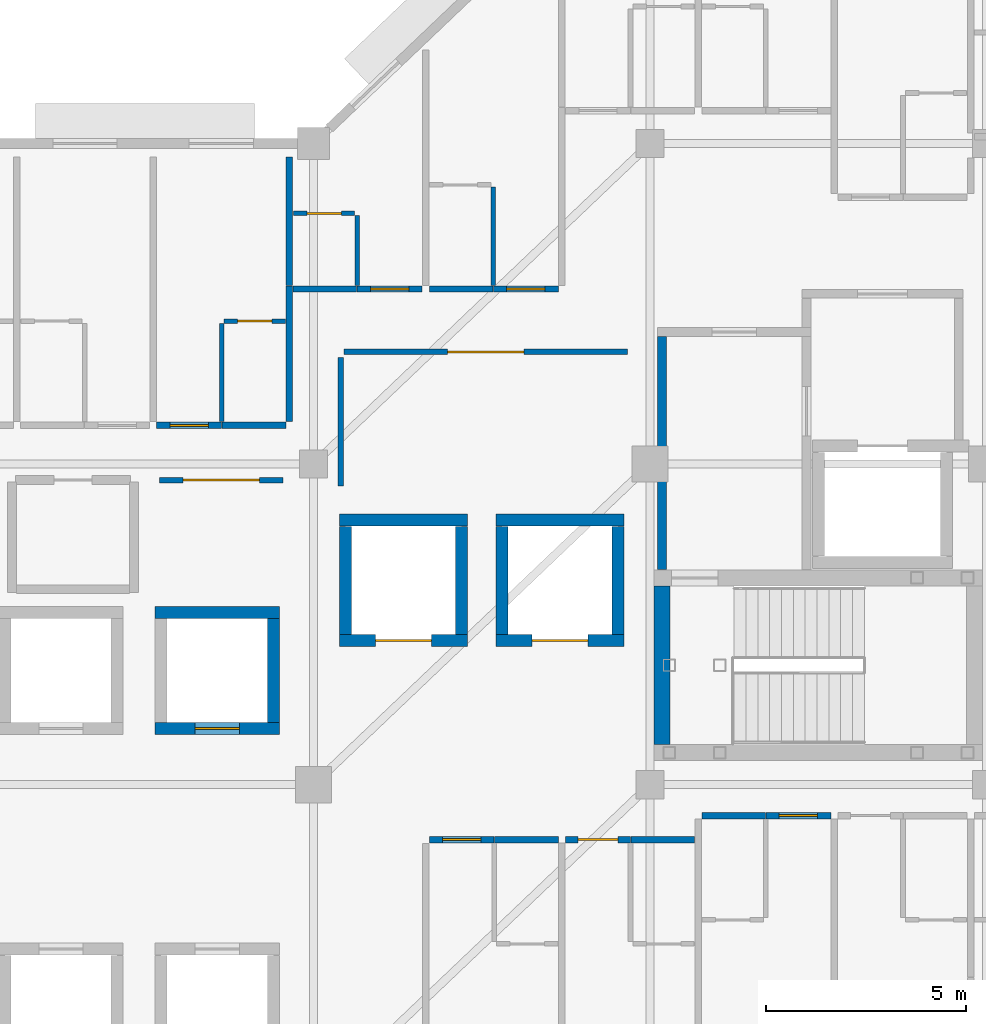
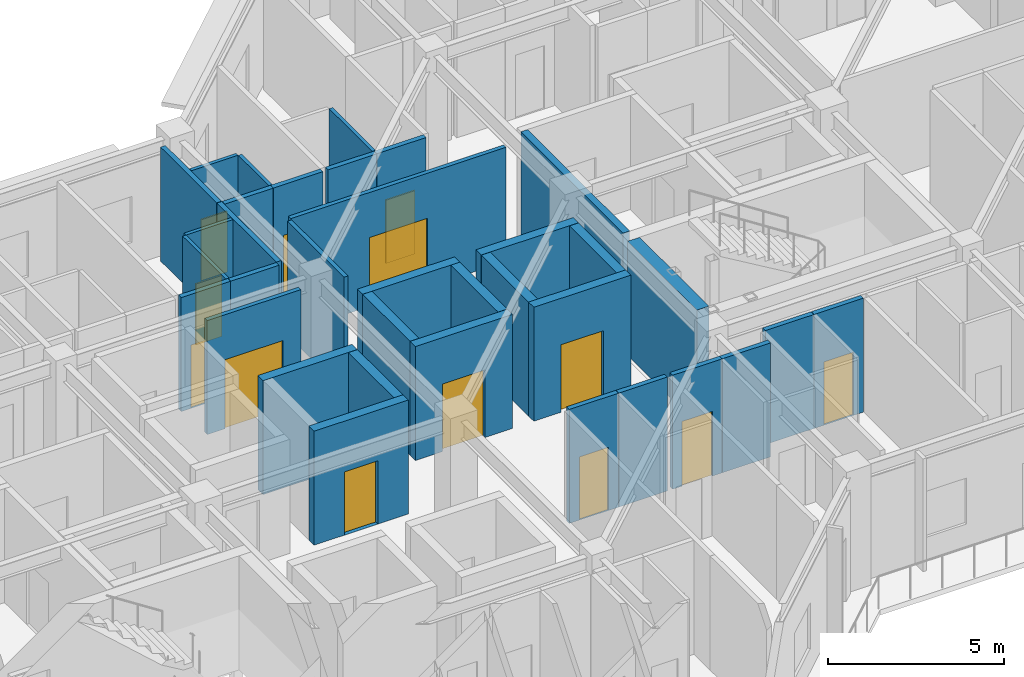
# One storey, part 11 of 22: 35 walls, 13 doors, 13 openings.
"""IFC4 building model written with IfcOpenShell, lengths in metres."""

from ifc_helpers import new_model, si_unit, direction, frame, frame_2d, origin, place, context, subcontext, project, spatial, rectangle, extrude, material, layer, layer_set, type_object, element, fill, save


model = new_model("IFC4")

# Units and contexts
model_context = context("Model", 3, precision=1e-05, world=origin(), true_north=direction((0.0, 1.0)))
body_context = subcontext(model_context, "Body", "Model", "MODEL_VIEW")
ifc_project = project(units=[si_unit("LENGTHUNIT", "METRE"), si_unit("AREAUNIT", "SQUARE_METRE"), si_unit("VOLUMEUNIT", "CUBIC_METRE"), si_unit("PLANEANGLEUNIT", "RADIAN"), si_unit("MASSUNIT", "GRAM", prefix="KILO")], contexts=[model_context])

# Site, building, storey
site_placement = place(None, origin())
site = spatial("IfcSite", under=ifc_project, at=site_placement, CompositionType="ELEMENT")
building_placement = place(site_placement, origin())
building = spatial("IfcBuilding", under=site, at=building_placement, Name="Naruveol Harbour Congress Hotel", CompositionType="ELEMENT")
storey_placement = place(building_placement, frame((0.0, 0.0, 21.0)))
storey = spatial("IfcBuildingStorey", under=building, at=storey_placement, Name="L04", CompositionType="ELEMENT", Elevation=21.0)

# Wall, opening, door
ifc_material_1 = material(Name="Acoustic Double Stud Gypsum", Category="gypsum")
ifc_layer_1 = layer(ifc_material_1, 0.139892578125)
ifc_layer_set_1 = layer_set([ifc_layer_1], Name="Acoustic Double Stud Gypsum")
wall_type_1 = type_object("IfcWallType", Name="ACOUSTIC MEETING PARTITION WALL 140", PredefinedType="PARTITIONING", material=ifc_layer_set_1)
wall_1_placement = place(storey_placement, frame((138.9599609375, 23.60009765625, 0.0), z_axis=(0.0, 0.0, 1.0), x_axis=(1.0, 0.0, 0.0)))
wall_1 = element("IfcWall", 1, at=wall_1_placement, inside=storey, type_object=wall_type_1, Name="Reading Salon north entry wall PW-140", PredefinedType="PARTITIONING", context=body_context, shape_type="SweptSolid", body=[
    extrude(rectangle(XDim=3.080078125, YDim=0.139892578125, at=frame_2d((1.5400390625, 0.0))), origin(), (0.0, 0.0, 1.0), 3.965087890625),
])
opening_1_placement = place(wall_1_placement, frame((0.590087890625, 0.0, 0.0)))
opening_1 = element("IfcOpeningElement", 2, at=opening_1_placement, cuts=wall_1, Name="Opening ID-LG-96", PredefinedType="OPENING", context=body_context, shape_type="SweptSolid", body=[
    extrude(rectangle(XDim=1.89990234375, YDim=2.39990234375, at=frame_2d((0.949951171875, 1.199951171875))), frame((0.0, 0.079833984375, 0.0), z_axis=(0.0, -1.0, 0.0), x_axis=(1.0, 0.0, 0.0)), (0.0, 0.0, 1.0), 0.159912109375),
])
ifc_material_2 = material(Name="Timber & Steel Acoustic Leaf", Category="steel")
door_type_1 = type_object("IfcDoorType", Name="RESTAURANT AND LOUNGE GLAZED DOOR 1900X2400", OperationType="DOUBLE_DOOR_SINGLE_SWING", PredefinedType="DOOR", material=ifc_material_2)
door_1_placement = place(opening_1_placement, origin())
door_1 = element("IfcDoor", 3, at=door_1_placement, inside=storey, type_object=door_type_1, Name="Reading Salon Entrance Door", OperationType="DOUBLE_DOOR_SINGLE_SWING", OverallHeight=2.39990234375, OverallWidth=1.89990234375, PredefinedType="DOOR", context=body_context, shape_type="SweptSolid", body=[
    extrude(rectangle(XDim=1.89990234375, YDim=2.39990234375, at=frame_2d((0.949951171875, 1.199951171875))), frame((0.0, 0.02490234375, 0.0), z_axis=(0.0, -1.0, 0.0), x_axis=(1.0, 0.0, 0.0)), (0.0, 0.0, 1.0), 0.050048828125),
])
fill(opening_1, door_1)

wall_2_placement = place(storey_placement, frame((143.56005859375, 26.800048828125, 0.0), z_axis=(0.0, 0.0, 1.0), x_axis=(1.0, 0.0, 0.0)))
wall_2 = element("IfcWall", 4, at=wall_2_placement, inside=storey, type_object=wall_type_1, Name="Harbour Study Salon north entry wall PW-140", PredefinedType="PARTITIONING", context=body_context, shape_type="SweptSolid", body=[
    extrude(rectangle(XDim=7.079833984375, YDim=0.139892578125, at=frame_2d((3.5400390625, 0.0))), origin(), (0.0, 0.0, 1.0), 3.965087890625),
])
opening_2_placement = place(wall_2_placement, frame((2.590087890625, 0.0, 0.0)))
opening_2 = element("IfcOpeningElement", 5, at=opening_2_placement, cuts=wall_2, Name="Opening ID-LG-99", PredefinedType="OPENING", context=body_context, shape_type="SweptSolid", body=[
    extrude(rectangle(XDim=1.89990234375, YDim=2.39990234375, at=frame_2d((0.949951171875, 1.199951171875))), frame((0.0, 0.079833984375, 0.0), z_axis=(0.0, -1.0, 0.0), x_axis=(1.0, 0.0, 0.0)), (0.0, 0.0, 1.0), 0.159912109375),
])
door_2_placement = place(opening_2_placement, origin())
door_2 = element("IfcDoor", 6, at=door_2_placement, inside=storey, type_object=door_type_1, Name="Harbour Study Salon Entrance Door", OperationType="DOUBLE_DOOR_SINGLE_SWING", OverallHeight=2.39990234375, OverallWidth=1.89990234375, PredefinedType="DOOR", context=body_context, shape_type="SweptSolid", body=[
    extrude(rectangle(XDim=1.89990234375, YDim=2.39990234375, at=frame_2d((0.949951171875, 1.199951171875))), frame((0.0, 0.02490234375, 0.0), z_axis=(0.0, -1.0, 0.0), x_axis=(1.0, 0.0, 0.0)), (0.0, 0.0, 1.0), 0.050048828125),
])
fill(opening_2, door_2)

# Walls
wall_3_placement = place(storey_placement, frame((143.47998046875, 23.449951171875, 0.0), z_axis=(0.0, 0.0, 1.0), x_axis=(0.0, 1.0, 0.0)))
element("IfcWall", 7, at=wall_3_placement, inside=storey, type_object=wall_type_1, Name="Harbour Study Salon west partition PW-140", PredefinedType="PARTITIONING", context=body_context, shape_type="SweptSolid", body=[
    extrude(rectangle(XDim=3.2099609375, YDim=0.139892578125, at=frame_2d((1.60498046875, 0.0))), origin(), (0.0, 0.0, 1.0), 3.965087890625),
])
ifc_material_3 = material(Name="Moisture-Resistant Gypsum Partition", Category="gypsum")
ifc_layer_2 = layer(ifc_material_3, 0.114990234375)
ifc_layer_set_2 = layer_set([ifc_layer_2], Name="Moisture-Resistant Gypsum Partition")
wall_type_2 = type_object("IfcWallType", Name="BATHROOM MOISTURE PARTITION WALL 115", PredefinedType="PARTITIONING", material=ifc_layer_set_2)
wall_4_placement = place(storey_placement, frame((140.510009765625, 25.06005859375, 0.0), z_axis=(0.0, 0.0, 1.0), x_axis=(0.0, 1.0, 0.0)))
element("IfcWall", 8, at=wall_4_placement, inside=storey, type_object=wall_type_2, Name="Bathroom west wall 0502 PW-115", PredefinedType="PARTITIONING", context=body_context, shape_type="SweptSolid", body=[
    extrude(rectangle(XDim=2.449951171875, YDim=0.114990234375, at=frame_2d((1.22509765625, 0.0))), origin(), (0.0, 0.0, 1.0), 3.965087890625),
])

# Wall, opening, door
wall_5_placement = place(storey_placement, frame((140.570068359375, 27.570068359375, 0.0), z_axis=(0.0, 0.0, 1.0), x_axis=(1.0, 0.0, 0.0)))
wall_5 = element("IfcWall", 9, at=wall_5_placement, inside=storey, type_object=wall_type_2, Name="Bathroom north wall 0502 PW-115", PredefinedType="PARTITIONING", context=body_context, shape_type="SweptSolid", body=[
    extrude(rectangle(XDim=1.530029296875, YDim=0.114990234375, at=frame_2d((0.76513671875, 0.0))), origin(), (0.0, 0.0, 1.0), 3.965087890625),
])
opening_3_placement = place(wall_5_placement, frame((0.3349609375, 0.0, 0.0)))
opening_3 = element("IfcOpeningElement", 10, at=opening_3_placement, cuts=wall_5, Name="Opening BD-RM0502", PredefinedType="OPENING", context=body_context, shape_type="SweptSolid", body=[
    extrude(rectangle(XDim=0.860107421875, YDim=2.1201171875, at=frame_2d((0.43017578125, 1.06005859375))), frame((0.0, 0.0673828125, 0.0), z_axis=(0.0, -1.0, 0.0), x_axis=(1.0, 0.0, 0.0)), (0.0, 0.0, 1.0), 0.135009765625),
])
ifc_material_4 = material(Name="Timber & Steel Acoustic Leaf", Category="steel")
door_type_2 = type_object("IfcDoorType", Name="GUEST BATHROOM DOOR 860X2120", OperationType="NOTDEFINED", PredefinedType="DOOR", material=ifc_material_4)
door_3_placement = place(opening_3_placement, origin())
door_3 = element("IfcDoor", 11, at=door_3_placement, inside=storey, type_object=door_type_2, Name="Bathroom Door 0502", OperationType="SINGLE_SWING_RIGHT", OverallHeight=2.1201171875, OverallWidth=0.860107421875, PredefinedType="DOOR", context=body_context, shape_type="SweptSolid", body=[
    extrude(rectangle(XDim=0.860107421875, YDim=2.1201171875, at=frame_2d((0.43017578125, 1.06005859375))), frame((0.0, 0.02490234375, 0.0), z_axis=(0.0, -1.0, 0.0), x_axis=(1.0, 0.0, 0.0)), (0.0, 0.0, 1.0), 0.050048828125),
])
fill(opening_3, door_3)

# Wall
wall_6_placement = place(storey_placement, frame((143.889892578125, 28.4599609375, 0.0), z_axis=(0.0, 0.0, 1.0), x_axis=(0.0, 1.0, 0.0)))
element("IfcWall", 12, at=wall_6_placement, inside=storey, type_object=wall_type_2, Name="Bathroom east wall 0503 PW-115", PredefinedType="PARTITIONING", context=body_context, shape_type="SweptSolid", body=[
    extrude(rectangle(XDim=1.739990234375, YDim=0.114990234375, at=frame_2d((0.8701171875, 0.0))), origin(), (0.0, 0.0, 1.0), 3.965087890625),
])

# Wall, opening, door
wall_7_placement = place(storey_placement, frame((142.300048828125, 30.260009765625, 0.0), z_axis=(0.0, 0.0, 1.0), x_axis=(1.0, 0.0, 0.0)))
wall_7 = element("IfcWall", 13, at=wall_7_placement, inside=storey, type_object=wall_type_2, Name="Bathroom north wall 0503 PW-115", PredefinedType="PARTITIONING", context=body_context, shape_type="SweptSolid", body=[
    extrude(rectangle(XDim=1.530029296875, YDim=0.114990234375, at=frame_2d((0.76513671875, 0.0))), origin(), (0.0, 0.0, 1.0), 3.965087890625),
])
opening_4_placement = place(wall_7_placement, frame((0.3349609375, 0.0, 0.0)))
opening_4 = element("IfcOpeningElement", 14, at=opening_4_placement, cuts=wall_7, Name="Opening BD-RM0503", PredefinedType="OPENING", context=body_context, shape_type="SweptSolid", body=[
    extrude(rectangle(XDim=0.860107421875, YDim=2.1201171875, at=frame_2d((0.43017578125, 1.06005859375))), frame((0.0, 0.0673828125, 0.0), z_axis=(0.0, -1.0, 0.0), x_axis=(1.0, 0.0, 0.0)), (0.0, 0.0, 1.0), 0.135009765625),
])
door_4_placement = place(opening_4_placement, origin())
door_4 = element("IfcDoor", 15, at=door_4_placement, inside=storey, type_object=door_type_2, Name="Bathroom Door 0503", OperationType="SINGLE_SWING_RIGHT", OverallHeight=2.1201171875, OverallWidth=0.860107421875, PredefinedType="DOOR", context=body_context, shape_type="SweptSolid", body=[
    extrude(rectangle(XDim=0.860107421875, YDim=2.1201171875, at=frame_2d((0.43017578125, 1.06005859375))), frame((0.0, 0.02490234375, 0.0), z_axis=(0.0, -1.0, 0.0), x_axis=(1.0, 0.0, 0.0)), (0.0, 0.0, 1.0), 0.050048828125),
])
fill(opening_4, door_4)

# Walls
wall_8_placement = place(storey_placement, frame((147.2900390625, 28.4599609375, 0.0), z_axis=(0.0, 0.0, 1.0), x_axis=(0.0, 1.0, 0.0)))
element("IfcWall", 16, at=wall_8_placement, inside=storey, type_object=wall_type_2, Name="Bathroom east wall 0504 PW-115", PredefinedType="PARTITIONING", context=body_context, shape_type="SweptSolid", body=[
    extrude(rectangle(XDim=2.449951171875, YDim=0.114990234375, at=frame_2d((1.22509765625, 0.0))), origin(), (0.0, 0.0, 1.0), 3.965087890625),
])
ifc_material_5 = material(Name="Concrete C40/50", Category="concrete")
ifc_layer_3 = layer(ifc_material_5, 0.219970703125)
ifc_layer_set_3 = layer_set([ifc_layer_3], Name="Concrete C40/50")
wall_type_3 = type_object("IfcWallType", Name="FIRE COMPARTMENT AND LOBBY WALL 220 EI120", PredefinedType="PARTITIONING", material=ifc_layer_set_3)
wall_9_placement = place(storey_placement, frame((151.5, 21.364990234375, 0.0), z_axis=(0.0, 0.0, 1.0), x_axis=(0.0, 1.0, 0.0)))
element("IfcWall", 17, at=wall_9_placement, inside=storey, type_object=wall_type_3, Name="Smoke vestibule ST2 west wall FW-220", PredefinedType="PARTITIONING", context=body_context, shape_type="SweptSolid", body=[
    extrude(rectangle(XDim=5.820068359375, YDim=0.219970703125, at=frame_2d((2.91015625, 0.0))), origin(), (0.0, 0.0, 1.0), 3.965087890625),
])

# Wall, opening, door
ifc_material_6 = material(Name="Autoclaved Aerated Concrete Block", Category="concrete")
ifc_layer_4 = layer(ifc_material_6, 0.159912109375)
ifc_layer_set_4 = layer_set([ifc_layer_4], Name="Autoclaved Aerated Concrete Block")
wall_type_4 = type_object("IfcWallType", Name="HOTEL PARTY AND CORRIDOR WALL 160 EI60", PredefinedType="PARTITIONING", material=ifc_layer_set_4)
wall_10_placement = place(storey_placement, frame((138.889892578125, 24.969970703125, 0.0), z_axis=(0.0, 0.0, 1.0), x_axis=(1.0, 0.0, 0.0)))
wall_10 = element("IfcWall", 18, at=wall_10_placement, inside=storey, type_object=wall_type_4, Name="Corridor entry wall 0502 PW-160", PredefinedType="PARTITIONING", context=body_context, shape_type="SweptSolid", body=[
    extrude(rectangle(XDim=1.6201171875, YDim=0.159912109375, at=frame_2d((0.81005859375, 0.0))), origin(), (0.0, 0.0, 1.0), 3.965087890625),
])
opening_5_placement = place(wall_10_placement, frame((0.330078125, 0.0, 0.0)))
opening_5 = element("IfcOpeningElement", 19, at=opening_5_placement, cuts=wall_10, Name="Opening FD-RM0502", PredefinedType="OPENING", context=body_context, shape_type="SweptSolid", body=[
    extrude(rectangle(XDim=0.9599609375, YDim=2.199951171875, at=frame_2d((0.47998046875, 1.10009765625))), frame((0.0, 0.08984375, 0.0), z_axis=(0.0, -1.0, 0.0), x_axis=(1.0, 0.0, 0.0)), (0.0, 0.0, 1.0), 0.179931640625),
])
ifc_material_7 = material(Name="Timber & Steel Acoustic Leaf", Category="steel")
door_type_3 = type_object("IfcDoorType", Name="GUEST ROOM ENTRANCE FIRE DOOR 960X2200", OperationType="NOTDEFINED", PredefinedType="DOOR", material=ifc_material_7)
door_5_placement = place(opening_5_placement, origin())
door_5 = element("IfcDoor", 20, at=door_5_placement, inside=storey, type_object=door_type_3, Name="Hotel Room Door 0502", OperationType="SINGLE_SWING_LEFT", OverallHeight=2.199951171875, OverallWidth=0.9599609375, PredefinedType="DOOR", context=body_context, shape_type="SweptSolid", body=[
    extrude(rectangle(XDim=0.9599609375, YDim=2.199951171875, at=frame_2d((0.47998046875, 1.10009765625))), frame((0.0, 0.02490234375, 0.0), z_axis=(0.0, -1.0, 0.0), x_axis=(1.0, 0.0, 0.0)), (0.0, 0.0, 1.0), 0.050048828125),
])
fill(opening_5, door_5)

# Walls
wall_11_placement = place(storey_placement, frame((140.52001953125, 24.969970703125, 0.0), z_axis=(0.0, 0.0, 1.0), x_axis=(1.0, 0.0, 0.0)))
element("IfcWall", 21, at=wall_11_placement, inside=storey, type_object=wall_type_4, Name="Corridor wall 0502B PW-160", PredefinedType="PARTITIONING", context=body_context, shape_type="SweptSolid", body=[
    extrude(rectangle(XDim=1.590087890625, YDim=0.159912109375, at=frame_2d((0.794921875, 0.0))), origin(), (0.0, 0.0, 1.0), 3.965087890625),
])
wall_12_placement = place(storey_placement, frame((142.199951171875, 25.06005859375, 0.0), z_axis=(0.0, 0.0, 1.0), x_axis=(0.0, 1.0, 0.0)))
element("IfcWall", 22, at=wall_12_placement, inside=storey, type_object=wall_type_4, Name="Hotel end party wall 0502 PW-160", PredefinedType="PARTITIONING", context=body_context, shape_type="SweptSolid", body=[
    extrude(rectangle(XDim=3.389892578125, YDim=0.159912109375, at=frame_2d((1.69482421875, 0.0))), origin(), (0.0, 0.0, 1.0), 3.965087890625),
])
wall_13_placement = place(storey_placement, frame((142.2900390625, 28.3701171875, 0.0), z_axis=(0.0, 0.0, 1.0), x_axis=(1.0, 0.0, 0.0)))
element("IfcWall", 23, at=wall_13_placement, inside=storey, type_object=wall_type_4, Name="Corridor wall 0503B PW-160", PredefinedType="PARTITIONING", context=body_context, shape_type="SweptSolid", body=[
    extrude(rectangle(XDim=1.58984375, YDim=0.159912109375, at=frame_2d((0.794921875, 0.0))), origin(), (0.0, 0.0, 1.0), 3.965087890625),
])

# Wall, opening, door
wall_14_placement = place(storey_placement, frame((143.889892578125, 28.3701171875, 0.0), z_axis=(0.0, 0.0, 1.0), x_axis=(1.0, 0.0, 0.0)))
wall_14 = element("IfcWall", 24, at=wall_14_placement, inside=storey, type_object=wall_type_4, Name="Corridor entry wall 0503 PW-160", PredefinedType="PARTITIONING", context=body_context, shape_type="SweptSolid", body=[
    extrude(rectangle(XDim=1.6201171875, YDim=0.159912109375, at=frame_2d((0.81005859375, 0.0))), origin(), (0.0, 0.0, 1.0), 3.965087890625),
])
opening_6_placement = place(wall_14_placement, frame((0.330078125, 0.0, 0.0)))
opening_6 = element("IfcOpeningElement", 25, at=opening_6_placement, cuts=wall_14, Name="Opening FD-RM0503", PredefinedType="OPENING", context=body_context, shape_type="SweptSolid", body=[
    extrude(rectangle(XDim=0.9599609375, YDim=2.199951171875, at=frame_2d((0.47998046875, 1.10009765625))), frame((0.0, 0.08984375, 0.0), z_axis=(0.0, -1.0, 0.0), x_axis=(1.0, 0.0, 0.0)), (0.0, 0.0, 1.0), 0.179931640625),
])
door_6_placement = place(opening_6_placement, origin())
door_6 = element("IfcDoor", 26, at=door_6_placement, inside=storey, type_object=door_type_3, Name="Hotel Room Door 0503", OperationType="SINGLE_SWING_LEFT", OverallHeight=2.199951171875, OverallWidth=0.9599609375, PredefinedType="DOOR", context=body_context, shape_type="SweptSolid", body=[
    extrude(rectangle(XDim=0.9599609375, YDim=2.199951171875, at=frame_2d((0.47998046875, 1.10009765625))), frame((0.0, 0.02490234375, 0.0), z_axis=(0.0, -1.0, 0.0), x_axis=(1.0, 0.0, 0.0)), (0.0, 0.0, 1.0), 0.050048828125),
])
fill(opening_6, door_6)

# Walls
wall_15_placement = place(storey_placement, frame((142.199951171875, 28.4599609375, 0.0), z_axis=(0.0, 0.0, 1.0), x_axis=(0.0, 1.0, 0.0)))
element("IfcWall", 27, at=wall_15_placement, inside=storey, type_object=wall_type_4, Name="Hotel party wall 0503 PW-160", PredefinedType="PARTITIONING", context=body_context, shape_type="SweptSolid", body=[
    extrude(rectangle(XDim=3.199951171875, YDim=0.159912109375, at=frame_2d((1.60009765625, 0.0))), origin(), (0.0, 0.0, 1.0), 3.965087890625),
])
wall_16_placement = place(storey_placement, frame((145.68994140625, 28.3701171875, 0.0), z_axis=(0.0, 0.0, 1.0), x_axis=(1.0, 0.0, 0.0)))
element("IfcWall", 28, at=wall_16_placement, inside=storey, type_object=wall_type_4, Name="Corridor wall 0504B PW-160", PredefinedType="PARTITIONING", context=body_context, shape_type="SweptSolid", body=[
    extrude(rectangle(XDim=1.590087890625, YDim=0.159912109375, at=frame_2d((0.794921875, 0.0))), origin(), (0.0, 0.0, 1.0), 3.965087890625),
])

# Wall, opening, door
wall_17_placement = place(storey_placement, frame((147.2900390625, 28.3701171875, 0.0), z_axis=(0.0, 0.0, 1.0), x_axis=(1.0, 0.0, 0.0)))
wall_17 = element("IfcWall", 29, at=wall_17_placement, inside=storey, type_object=wall_type_4, Name="Corridor entry wall 0504 PW-160", PredefinedType="PARTITIONING", context=body_context, shape_type="SweptSolid", body=[
    extrude(rectangle(XDim=1.619873046875, YDim=0.159912109375, at=frame_2d((0.81005859375, 0.0))), origin(), (0.0, 0.0, 1.0), 3.965087890625),
])
opening_7_placement = place(wall_17_placement, frame((0.330078125, 0.0, 0.0)))
opening_7 = element("IfcOpeningElement", 30, at=opening_7_placement, cuts=wall_17, Name="Opening FD-RM0504", PredefinedType="OPENING", context=body_context, shape_type="SweptSolid", body=[
    extrude(rectangle(XDim=0.9599609375, YDim=2.199951171875, at=frame_2d((0.47998046875, 1.10009765625))), frame((0.0, 0.08984375, 0.0), z_axis=(0.0, -1.0, 0.0), x_axis=(1.0, 0.0, 0.0)), (0.0, 0.0, 1.0), 0.179931640625),
])
door_7_placement = place(opening_7_placement, origin())
door_7 = element("IfcDoor", 31, at=door_7_placement, inside=storey, type_object=door_type_3, Name="Hotel Room Door 0504", OperationType="SINGLE_SWING_LEFT", OverallHeight=2.199951171875, OverallWidth=0.9599609375, PredefinedType="DOOR", context=body_context, shape_type="SweptSolid", body=[
    extrude(rectangle(XDim=0.9599609375, YDim=2.199951171875, at=frame_2d((0.47998046875, 1.10009765625))), frame((0.0, 0.02490234375, 0.0), z_axis=(0.0, -1.0, 0.0), x_axis=(1.0, 0.0, 0.0)), (0.0, 0.0, 1.0), 0.050048828125),
])
fill(opening_7, door_7)

wall_18_placement = place(storey_placement, frame((145.68994140625, 14.6298828125, 0.0), z_axis=(0.0, 0.0, 1.0), x_axis=(1.0, 0.0, 0.0)))
wall_18 = element("IfcWall", 32, at=wall_18_placement, inside=storey, type_object=wall_type_4, Name="Corridor entry wall 0585 PW-160", PredefinedType="PARTITIONING", context=body_context, shape_type="SweptSolid", body=[
    extrude(rectangle(XDim=1.6201171875, YDim=0.159912109375, at=frame_2d((0.81005859375, 0.0))), origin(), (0.0, 0.0, 1.0), 3.965087890625),
])
opening_8_placement = place(wall_18_placement, frame((0.330078125, 0.0, 0.0)))
opening_8 = element("IfcOpeningElement", 33, at=opening_8_placement, cuts=wall_18, Name="Opening FD-RM0585", PredefinedType="OPENING", context=body_context, shape_type="SweptSolid", body=[
    extrude(rectangle(XDim=0.9599609375, YDim=2.199951171875, at=frame_2d((0.47998046875, 1.10009765625))), frame((0.0, 0.08984375, 0.0), z_axis=(0.0, -1.0, 0.0), x_axis=(1.0, 0.0, 0.0)), (0.0, 0.0, 1.0), 0.179931640625),
])
door_8_placement = place(opening_8_placement, origin())
door_8 = element("IfcDoor", 34, at=door_8_placement, inside=storey, type_object=door_type_3, Name="Hotel Room Door 0585", OperationType="SINGLE_SWING_LEFT", OverallHeight=2.199951171875, OverallWidth=0.9599609375, PredefinedType="DOOR", context=body_context, shape_type="SweptSolid", body=[
    extrude(rectangle(XDim=0.9599609375, YDim=2.199951171875, at=frame_2d((0.47998046875, 1.10009765625))), frame((0.0, 0.02490234375, 0.0), z_axis=(0.0, -1.0, 0.0), x_axis=(1.0, 0.0, 0.0)), (0.0, 0.0, 1.0), 0.050048828125),
])
fill(opening_8, door_8)

# Wall
wall_19_placement = place(storey_placement, frame((147.320068359375, 14.6298828125, 0.0), z_axis=(0.0, 0.0, 1.0), x_axis=(1.0, 0.0, 0.0)))
element("IfcWall", 35, at=wall_19_placement, inside=storey, type_object=wall_type_4, Name="Corridor wall 0585B PW-160", PredefinedType="PARTITIONING", context=body_context, shape_type="SweptSolid", body=[
    extrude(rectangle(XDim=1.58984375, YDim=0.159912109375, at=frame_2d((0.794921875, 0.0))), origin(), (0.0, 0.0, 1.0), 3.965087890625),
])

# Wall, opening, door
wall_20_placement = place(storey_placement, frame((149.090087890625, 14.6298828125, 0.0), z_axis=(0.0, 0.0, 1.0), x_axis=(1.0, 0.0, 0.0)))
wall_20 = element("IfcWall", 36, at=wall_20_placement, inside=storey, type_object=wall_type_4, Name="Corridor entry wall 0586 PW-160", PredefinedType="PARTITIONING", context=body_context, shape_type="SweptSolid", body=[
    extrude(rectangle(XDim=1.619873046875, YDim=0.159912109375, at=frame_2d((0.81005859375, 0.0))), origin(), (0.0, 0.0, 1.0), 3.965087890625),
])
opening_9_placement = place(wall_20_placement, frame((0.31005859375, 0.0, 0.0)))
opening_9 = element("IfcOpeningElement", 37, at=opening_9_placement, cuts=wall_20, Name="Opening FD-RM0586", PredefinedType="OPENING", context=body_context, shape_type="SweptSolid", body=[
    extrude(rectangle(XDim=1.0, YDim=2.25, at=frame_2d((0.5, 1.125))), frame((0.0, 0.08984375, 0.0), z_axis=(0.0, -1.0, 0.0), x_axis=(1.0, 0.0, 0.0)), (0.0, 0.0, 1.0), 0.179931640625),
])
ifc_material_8 = material(Name="Timber & Steel Acoustic Leaf", Category="steel")
door_type_4 = type_object("IfcDoorType", Name="DELUXE GUEST ENTRANCE FIRE DOOR 1000X2250", OperationType="NOTDEFINED", PredefinedType="DOOR", material=ifc_material_8)
door_9_placement = place(opening_9_placement, origin())
door_9 = element("IfcDoor", 38, at=door_9_placement, inside=storey, type_object=door_type_4, Name="Hotel Room Door 0586", OperationType="SINGLE_SWING_LEFT", OverallHeight=2.25, OverallWidth=1.0, PredefinedType="DOOR", context=body_context, shape_type="SweptSolid", body=[
    extrude(rectangle(XDim=1.0, YDim=2.25, at=frame_2d((0.5, 1.125))), frame((0.0, 0.02490234375, 0.0), z_axis=(0.0, -1.0, 0.0), x_axis=(1.0, 0.0, 0.0)), (0.0, 0.0, 1.0), 0.050048828125),
])
fill(opening_9, door_9)

# Walls
for number, where, z_axis, x_axis, name in (
    (39, (150.719970703125, 14.6298828125, 0.0), (0.0, 0.0, 1.0), (1.0, 0.0, 0.0), "Corridor wall 0586B PW-160"),
    (40, (152.489990234375, 15.22998046875, 0.0), (0.0, 0.0, 1.0), (1.0, 0.0, 0.0), "Corridor wall 0587B PW-160"),
):
    element("IfcWall", number, at=place(storey_placement, frame(where, z_axis=z_axis, x_axis=x_axis)), inside=storey, type_object=wall_type_4, Name=name, PredefinedType="PARTITIONING", context=body_context, shape_type="SweptSolid", body=[
        extrude(rectangle(XDim=1.590087890625, YDim=0.159912109375, at=frame_2d((0.794921875, 0.0))), origin(), (0.0, 0.0, 1.0), 3.965087890625),
    ])

# Wall, opening, door
wall_21_placement = place(storey_placement, frame((154.090087890625, 15.22998046875, 0.0), z_axis=(0.0, 0.0, 1.0), x_axis=(1.0, 0.0, 0.0)))
wall_21 = element("IfcWall", 41, at=wall_21_placement, inside=storey, type_object=wall_type_4, Name="Corridor entry wall 0587 PW-160", PredefinedType="PARTITIONING", context=body_context, shape_type="SweptSolid", body=[
    extrude(rectangle(XDim=1.619873046875, YDim=0.159912109375, at=frame_2d((0.81005859375, 0.0))), origin(), (0.0, 0.0, 1.0), 3.965087890625),
])
opening_10_placement = place(wall_21_placement, frame((0.330078125, 0.0, 0.0)))
opening_10 = element("IfcOpeningElement", 42, at=opening_10_placement, cuts=wall_21, Name="Opening FD-RM0587", PredefinedType="OPENING", context=body_context, shape_type="SweptSolid", body=[
    extrude(rectangle(XDim=0.9599609375, YDim=2.199951171875, at=frame_2d((0.47998046875, 1.10009765625))), frame((0.0, 0.08984375, 0.0), z_axis=(0.0, -1.0, 0.0), x_axis=(1.0, 0.0, 0.0)), (0.0, 0.0, 1.0), 0.179931640625),
])
door_10_placement = place(opening_10_placement, origin())
door_10 = element("IfcDoor", 43, at=door_10_placement, inside=storey, type_object=door_type_3, Name="Hotel Room Door 0587", OperationType="SINGLE_SWING_LEFT", OverallHeight=2.199951171875, OverallWidth=0.9599609375, PredefinedType="DOOR", context=body_context, shape_type="SweptSolid", body=[
    extrude(rectangle(XDim=0.9599609375, YDim=2.199951171875, at=frame_2d((0.47998046875, 1.10009765625))), frame((0.0, 0.02490234375, 0.0), z_axis=(0.0, -1.0, 0.0), x_axis=(1.0, 0.0, 0.0)), (0.0, 0.0, 1.0), 0.050048828125),
])
fill(opening_10, door_10)

# Wall
ifc_material_9 = material(Name="Concrete C50/60", Category="concrete")
ifc_layer_5 = layer(ifc_material_9, 0.39990234375)
ifc_layer_set_5 = layer_set([ifc_layer_5], Name="Concrete C50/60")
wall_type_5 = type_object("IfcWallType", Name="RC CORE SHEAR WALL 400 EI120", PredefinedType="SHEAR", material=ifc_layer_set_5)
wall_22_placement = place(storey_placement, frame((151.5, 17.0048828125, 0.0), z_axis=(0.0, 0.0, 1.0), x_axis=(0.0, 1.0, 0.0)))
element("IfcWall", 44, at=wall_22_placement, inside=storey, type_object=wall_type_5, Name="Stair ST2 west core wall CW-400", PredefinedType="SHEAR", context=body_context, shape_type="SweptSolid", body=[
    extrude(rectangle(XDim=3.9501953125, YDim=0.39990234375, at=frame_2d((1.97509765625, 0.0))), origin(), (0.0, 0.0, 1.0), 3.965087890625),
])

# Wall, opening, door
ifc_material_10 = material(Name="Concrete C50/60", Category="concrete")
ifc_layer_6 = layer(ifc_material_10, 0.300048828125)
ifc_layer_set_6 = layer_set([ifc_layer_6], Name="Concrete C50/60")
wall_type_6 = type_object("IfcWallType", Name="RC STAIR AND HOISTWAY SHEAR WALL 300 EI120", PredefinedType="SHEAR", material=ifc_layer_set_6)
wall_23_placement = place(storey_placement, frame((138.85009765625, 17.39990234375, 0.0), z_axis=(0.0, 0.0, 1.0), x_axis=(1.0, 0.0, 0.0)))
wall_23 = element("IfcWall", 45, at=wall_23_placement, inside=storey, type_object=wall_type_6, Name="Hoistway south shear wall PL2 SW-300", PredefinedType="SHEAR", context=body_context, shape_type="SweptSolid", body=[
    extrude(rectangle(XDim=3.099853515625, YDim=0.300048828125, at=frame_2d((1.5498046875, 0.0))), origin(), (0.0, 0.0, 1.0), 3.965087890625),
])
opening_11_placement = place(wall_23_placement, frame((1.0, 0.0, 0.0)))
opening_11 = element("IfcOpeningElement", 46, at=opening_11_placement, cuts=wall_23, Name="Opening LD-PL2-L04", PredefinedType="OPENING", context=body_context, shape_type="SweptSolid", body=[
    extrude(rectangle(XDim=1.10009765625, YDim=2.199951171875, at=frame_2d((0.550048828125, 1.10009765625))), frame((0.0, 0.159912109375, 0.0), z_axis=(0.0, -1.0, 0.0), x_axis=(1.0, 0.0, 0.0)), (0.0, 0.0, 1.0), 0.320068359375),
])
ifc_material_11 = material(Name="Stainless Steel Lift Door", Category="steel")
door_type_5 = type_object("IfcDoorType", Name="PASSENGER LIFT LANDING DOOR 1100X2200", OperationType="DOUBLE_DOOR_SLIDING", PredefinedType="DOOR", material=ifc_material_11)
door_11_placement = place(opening_11_placement, origin())
door_11 = element("IfcDoor", 47, at=door_11_placement, inside=storey, type_object=door_type_5, Name="Elevator Landing Door PL2 L04", OperationType="DOUBLE_DOOR_SLIDING", OverallHeight=2.199951171875, OverallWidth=1.10009765625, PredefinedType="DOOR", context=body_context, shape_type="SweptSolid", body=[
    extrude(rectangle(XDim=1.10009765625, YDim=2.199951171875, at=frame_2d((0.550048828125, 1.10009765625))), frame((0.0, 0.02490234375, 0.0), z_axis=(0.0, -1.0, 0.0), x_axis=(1.0, 0.0, 0.0)), (0.0, 0.0, 1.0), 0.050048828125),
])
fill(opening_11, door_11)

# Walls
wall_24_placement = place(storey_placement, frame((141.800048828125, 17.554931640625, 0.0), z_axis=(0.0, 0.0, 1.0), x_axis=(0.0, 1.0, 0.0)))
element("IfcWall", 48, at=wall_24_placement, inside=storey, type_object=wall_type_6, Name="Hoistway east shear wall PL2 SW-300", PredefinedType="SHEAR", context=body_context, shape_type="SweptSolid", body=[
    extrude(rectangle(XDim=2.590087890625, YDim=0.300048828125, at=frame_2d((1.294921875, 0.0))), origin(), (0.0, 0.0, 1.0), 3.965087890625),
])
wall_25_placement = place(storey_placement, frame((141.949951171875, 20.300048828125, 0.0), z_axis=(0.0, 0.0, 1.0), x_axis=(-1.0, 0.0, 0.0)))
element("IfcWall", 49, at=wall_25_placement, inside=storey, type_object=wall_type_6, Name="Hoistway north shear wall PL2 SW-300", PredefinedType="SHEAR", context=body_context, shape_type="SweptSolid", body=[
    extrude(rectangle(XDim=3.099853515625, YDim=0.300048828125, at=frame_2d((1.5498046875, 0.0))), origin(), (0.0, 0.0, 1.0), 3.965087890625),
])

# Wall, opening, door
wall_26_placement = place(storey_placement, frame((143.449951171875, 19.60009765625, 0.0), z_axis=(0.0, 0.0, 1.0), x_axis=(1.0, 0.0, 0.0)))
wall_26 = element("IfcWall", 50, at=wall_26_placement, inside=storey, type_object=wall_type_6, Name="Hoistway south shear wall GL1 SW-300", PredefinedType="SHEAR", context=body_context, shape_type="SweptSolid", body=[
    extrude(rectangle(XDim=3.199951171875, YDim=0.300048828125, at=frame_2d((1.60009765625, 0.0))), origin(), (0.0, 0.0, 1.0), 3.965087890625),
])
opening_12_placement = place(wall_26_placement, frame((0.89990234375, 0.0, 0.0)))
opening_12 = element("IfcOpeningElement", 51, at=opening_12_placement, cuts=wall_26, Name="Opening LD-GL1-L04", PredefinedType="OPENING", context=body_context, shape_type="SweptSolid", body=[
    extrude(rectangle(XDim=1.39990234375, YDim=2.35009765625, at=frame_2d((0.699951171875, 1.175048828125))), frame((0.0, 0.159912109375, 0.0), z_axis=(0.0, -1.0, 0.0), x_axis=(1.0, 0.0, 0.0)), (0.0, 0.0, 1.0), 0.320068359375),
])
ifc_material_12 = material(Name="Stainless Steel Lift Door", Category="steel")
door_type_6 = type_object("IfcDoorType", Name="GOODS LIFT LANDING DOOR 1400X2350", OperationType="DOUBLE_DOOR_SLIDING", PredefinedType="DOOR", material=ifc_material_12)
door_12_placement = place(opening_12_placement, origin())
door_12 = element("IfcDoor", 52, at=door_12_placement, inside=storey, type_object=door_type_6, Name="Elevator Landing Door GL1 L04", OperationType="DOUBLE_DOOR_SLIDING", OverallHeight=2.35009765625, OverallWidth=1.39990234375, PredefinedType="DOOR", context=body_context, shape_type="SweptSolid", body=[
    extrude(rectangle(XDim=1.39990234375, YDim=2.35009765625, at=frame_2d((0.699951171875, 1.175048828125))), frame((0.0, 0.02490234375, 0.0), z_axis=(0.0, -1.0, 0.0), x_axis=(1.0, 0.0, 0.0)), (0.0, 0.0, 1.0), 0.050048828125),
])
fill(opening_12, door_12)

# Walls
wall_27_placement = place(storey_placement, frame((146.5, 19.7548828125, 0.0), z_axis=(0.0, 0.0, 1.0), x_axis=(0.0, 1.0, 0.0)))
element("IfcWall", 53, at=wall_27_placement, inside=storey, type_object=wall_type_6, Name="Hoistway east shear wall GL1 SW-300", PredefinedType="SHEAR", context=body_context, shape_type="SweptSolid", body=[
    extrude(rectangle(XDim=2.690185546875, YDim=0.300048828125, at=frame_2d((1.34521484375, 0.0))), origin(), (0.0, 0.0, 1.0), 3.965087890625),
])
wall_28_placement = place(storey_placement, frame((146.64990234375, 22.60009765625, 0.0), z_axis=(0.0, 0.0, 1.0), x_axis=(-1.0, 0.0, 0.0)))
element("IfcWall", 54, at=wall_28_placement, inside=storey, type_object=wall_type_6, Name="Hoistway north shear wall GL1 SW-300", PredefinedType="SHEAR", context=body_context, shape_type="SweptSolid", body=[
    extrude(rectangle(XDim=3.199951171875, YDim=0.300048828125, at=frame_2d((1.60009765625, 0.0))), origin(), (0.0, 0.0, 1.0), 3.965087890625),
])
wall_29_placement = place(storey_placement, frame((143.60009765625, 22.445068359375, 0.0), z_axis=(0.0, 0.0, 1.0), x_axis=(0.0, -1.0, 0.0)))
element("IfcWall", 55, at=wall_29_placement, inside=storey, type_object=wall_type_6, Name="Hoistway west shear wall GL1 SW-300", PredefinedType="SHEAR", context=body_context, shape_type="SweptSolid", body=[
    extrude(rectangle(XDim=2.690185546875, YDim=0.300048828125, at=frame_2d((1.34521484375, 0.0))), origin(), (0.0, 0.0, 1.0), 3.965087890625),
])

# Wall, opening, door
wall_30_placement = place(storey_placement, frame((147.35009765625, 19.60009765625, 0.0), z_axis=(0.0, 0.0, 1.0), x_axis=(1.0, 0.0, 0.0)))
wall_30 = element("IfcWall", 56, at=wall_30_placement, inside=storey, type_object=wall_type_6, Name="Hoistway south shear wall GL2 SW-300", PredefinedType="SHEAR", context=body_context, shape_type="SweptSolid", body=[
    extrude(rectangle(XDim=3.199951171875, YDim=0.300048828125, at=frame_2d((1.60009765625, 0.0))), origin(), (0.0, 0.0, 1.0), 3.965087890625),
])
opening_13_placement = place(wall_30_placement, frame((0.89990234375, 0.0, 0.0)))
opening_13 = element("IfcOpeningElement", 57, at=opening_13_placement, cuts=wall_30, Name="Opening LD-GL2-L04", PredefinedType="OPENING", context=body_context, shape_type="SweptSolid", body=[
    extrude(rectangle(XDim=1.39990234375, YDim=2.35009765625, at=frame_2d((0.699951171875, 1.175048828125))), frame((0.0, 0.159912109375, 0.0), z_axis=(0.0, -1.0, 0.0), x_axis=(1.0, 0.0, 0.0)), (0.0, 0.0, 1.0), 0.320068359375),
])
door_13_placement = place(opening_13_placement, origin())
door_13 = element("IfcDoor", 58, at=door_13_placement, inside=storey, type_object=door_type_6, Name="Elevator Landing Door GL2 L04", OperationType="DOUBLE_DOOR_SLIDING", OverallHeight=2.35009765625, OverallWidth=1.39990234375, PredefinedType="DOOR", context=body_context, shape_type="SweptSolid", body=[
    extrude(rectangle(XDim=1.39990234375, YDim=2.35009765625, at=frame_2d((0.699951171875, 1.175048828125))), frame((0.0, 0.02490234375, 0.0), z_axis=(0.0, -1.0, 0.0), x_axis=(1.0, 0.0, 0.0)), (0.0, 0.0, 1.0), 0.050048828125),
])
fill(opening_13, door_13)

# Walls
wall_31_placement = place(storey_placement, frame((150.39990234375, 19.7548828125, 0.0), z_axis=(0.0, 0.0, 1.0), x_axis=(0.0, 1.0, 0.0)))
element("IfcWall", 59, at=wall_31_placement, inside=storey, type_object=wall_type_6, Name="Hoistway east shear wall GL2 SW-300", PredefinedType="SHEAR", context=body_context, shape_type="SweptSolid", body=[
    extrude(rectangle(XDim=2.690185546875, YDim=0.300048828125, at=frame_2d((1.34521484375, 0.0))), origin(), (0.0, 0.0, 1.0), 3.965087890625),
])
wall_32_placement = place(storey_placement, frame((150.550048828125, 22.60009765625, 0.0), z_axis=(0.0, 0.0, 1.0), x_axis=(-1.0, 0.0, 0.0)))
element("IfcWall", 60, at=wall_32_placement, inside=storey, type_object=wall_type_6, Name="Hoistway north shear wall GL2 SW-300", PredefinedType="SHEAR", context=body_context, shape_type="SweptSolid", body=[
    extrude(rectangle(XDim=3.199951171875, YDim=0.300048828125, at=frame_2d((1.60009765625, 0.0))), origin(), (0.0, 0.0, 1.0), 3.965087890625),
])
wall_33_placement = place(storey_placement, frame((147.5, 22.445068359375, 0.0), z_axis=(0.0, 0.0, 1.0), x_axis=(0.0, -1.0, 0.0)))
element("IfcWall", 61, at=wall_33_placement, inside=storey, type_object=wall_type_6, Name="Hoistway west shear wall GL2 SW-300", PredefinedType="SHEAR", context=body_context, shape_type="SweptSolid", body=[
    extrude(rectangle(XDim=2.690185546875, YDim=0.300048828125, at=frame_2d((1.34521484375, 0.0))), origin(), (0.0, 0.0, 1.0), 3.965087890625),
])

save(model, "model.ifc")
